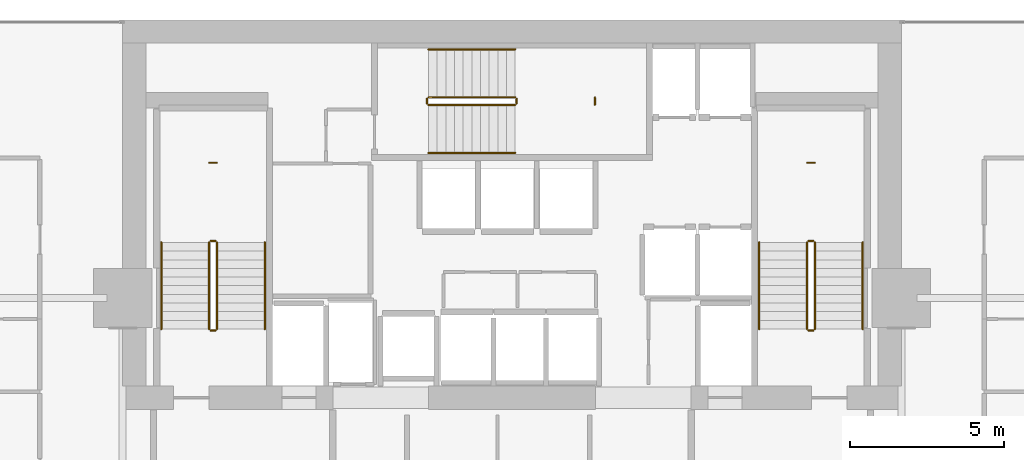
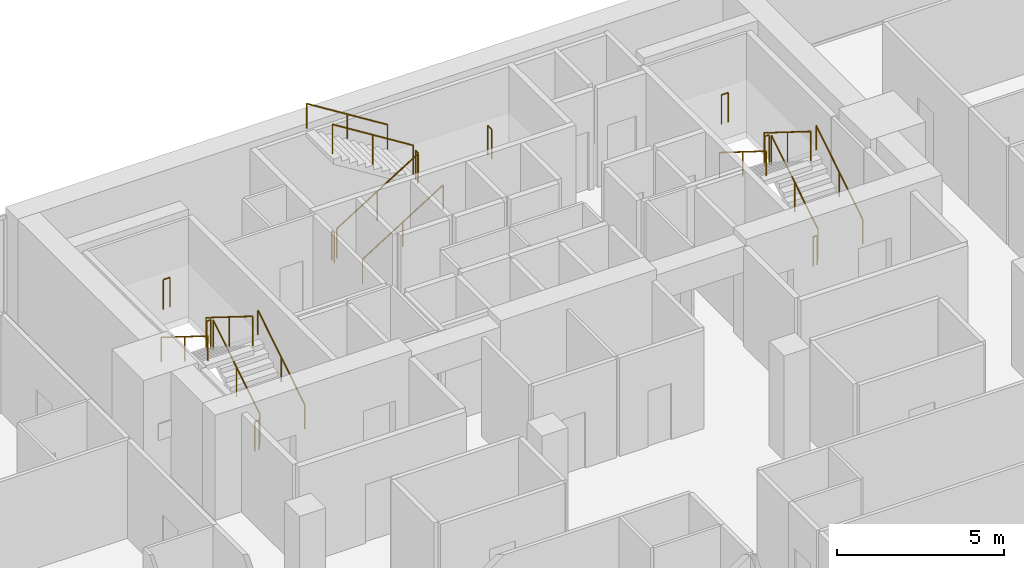
# One storey, part 34 of 34: 21 railings.
"""IFC4 building model written with IfcOpenShell, lengths in metres."""

from ifc_helpers import new_model, si_unit, direction, frame, origin, origin_2d, place, context, subcontext, project, spatial, circle, extrude, material, type_object, element, save


model = new_model("IFC4")

# Units and contexts
model_context = context("Model", 3, precision=1e-05, world=origin(), true_north=direction((0.0, 1.0)))
body_context = subcontext(model_context, "Body", "Model", "MODEL_VIEW")
ifc_project = project(units=[si_unit("LENGTHUNIT", "METRE"), si_unit("AREAUNIT", "SQUARE_METRE"), si_unit("VOLUMEUNIT", "CUBIC_METRE"), si_unit("PLANEANGLEUNIT", "RADIAN"), si_unit("MASSUNIT", "GRAM", prefix="KILO")], contexts=[model_context])

# Site, building, storey
site_placement = place(None, origin())
site = spatial("IfcSite", under=ifc_project, at=site_placement, CompositionType="ELEMENT")
building_placement = place(site_placement, origin())
building = spatial("IfcBuilding", under=site, at=building_placement, Name="Maruvema Waterfront Hotel and Observation Tower", CompositionType="ELEMENT")
storey_placement = place(building_placement, frame((0.0, 0.0, 192.85009765625)))
storey = spatial("IfcBuildingStorey", under=building, at=storey_placement, Name="L47", CompositionType="ELEMENT", Elevation=192.85009765625)

# Railings
ifc_material_1 = material(Name="Brushed stainless steel Grade 316", Category="steel")
railing_type_1 = type_object("IfcRailingType", Name="Ramp Continuous Wall Handrail 920 mm", PredefinedType="HANDRAIL", material=ifc_material_1)
railing_1_placement = place(storey_placement, frame((29.800048828125, 44.0, 0.1748046875)))
element("IfcRailing", 1, at=railing_1_placement, inside=storey, type_object=railing_type_1, Name="L47 ST-01 stair handrail 1", PredefinedType="HANDRAIL", context=body_context, shape_type="SweptSolid", body=[
    extrude(circle(Radius=0.02392578125, at=origin_2d()), frame((0.0, 0.0, 0.89599609375), z_axis=(0.0, 0.848002457836, 0.529992293815), x_axis=(-1.0, 0.0, 0.0)), (0.0, 0.0, 1.0), 3.302001953125),
    extrude(circle(Radius=0.02099609375, at=origin_2d()), origin(), (0.0, 0.0, 1.0), 0.871826171875),
    extrude(circle(Radius=0.02099609375, at=origin_2d()), frame((0.0, 1.39990234375, 0.875)), (0.0, 0.0, 1.0), 0.871826171875),
    extrude(circle(Radius=0.02099609375, at=origin_2d()), frame((0.0, 2.800048828125, 1.75)), (0.0, 0.0, 1.0), 0.871826171875),
])
railing_2_placement = place(storey_placement, frame((26.449951171875, 46.800048828125, 2.099853515625)))
element("IfcRailing", 2, at=railing_2_placement, inside=storey, type_object=railing_type_1, Name="L47 ST-01 stair handrail 2", PredefinedType="HANDRAIL", context=body_context, shape_type="SweptSolid", body=[
    extrude(circle(Radius=0.02392578125, at=origin_2d()), frame((0.0, 0.0, 0.89599609375), z_axis=(0.0, -0.848002457836, 0.529992293815), x_axis=(1.0, 0.0, 0.0)), (0.0, 0.0, 1.0), 3.302001953125),
    extrude(circle(Radius=0.02099609375, at=origin_2d()), origin(), (0.0, 0.0, 1.0), 0.871826171875),
    extrude(circle(Radius=0.02099609375, at=origin_2d()), frame((0.0, -1.39990234375, 0.875)), (0.0, 0.0, 1.0), 0.871826171875),
    extrude(circle(Radius=0.02099609375, at=origin_2d()), frame((0.0, -2.800048828125, 1.75)), (0.0, 0.0, 1.0), 0.871826171875),
])
railing_3_placement = place(storey_placement, frame((35.10009765625, 49.699951171875, 0.1748046875)))
element("IfcRailing", 3, at=railing_3_placement, inside=storey, type_object=railing_type_1, Name="L47 ST-02 stair handrail 1", PredefinedType="HANDRAIL", context=body_context, shape_type="SweptSolid", body=[
    extrude(circle(Radius=0.02392578125, at=origin_2d()), frame((0.0, 0.0, 0.89599609375), z_axis=(0.847981687118, 0.0, 0.530025526095), x_axis=(0.0, 1.0, 0.0)), (0.0, 0.0, 1.0), 3.3017578125),
    extrude(circle(Radius=0.02099609375, at=origin_2d()), origin(), (0.0, 0.0, 1.0), 0.871826171875),
    extrude(circle(Radius=0.02099609375, at=origin_2d()), frame((1.39990234375, 0.0, 0.875)), (0.0, 0.0, 1.0), 0.871826171875),
    extrude(circle(Radius=0.02099609375, at=origin_2d()), frame((2.7998046875, 0.0, 1.75)), (0.0, 0.0, 1.0), 0.871826171875),
])
railing_4_placement = place(storey_placement, frame((37.89990234375, 53.050048828125, 2.099853515625)))
element("IfcRailing", 4, at=railing_4_placement, inside=storey, type_object=railing_type_1, Name="L47 ST-02 stair handrail 2", PredefinedType="HANDRAIL", context=body_context, shape_type="SweptSolid", body=[
    extrude(circle(Radius=0.02392578125, at=origin_2d()), frame((0.0, 0.0, 0.89599609375), z_axis=(-0.847981687118, 0.0, 0.530025526095), x_axis=(0.0, -1.0, 0.0)), (0.0, 0.0, 1.0), 3.3017578125),
    extrude(circle(Radius=0.02099609375, at=origin_2d()), origin(), (0.0, 0.0, 1.0), 0.871826171875),
    extrude(circle(Radius=0.02099609375, at=origin_2d()), frame((-1.39990234375, 0.0, 0.875)), (0.0, 0.0, 1.0), 0.871826171875),
    extrude(circle(Radius=0.02099609375, at=origin_2d()), frame((-2.7998046875, 0.0, 1.75)), (0.0, 0.0, 1.0), 0.871826171875),
])
railing_5_placement = place(storey_placement, frame((49.14990234375, 44.0, 0.1748046875)))
element("IfcRailing", 5, at=railing_5_placement, inside=storey, type_object=railing_type_1, Name="L47 ST-03 stair handrail 1", PredefinedType="HANDRAIL", context=body_context, shape_type="SweptSolid", body=[
    extrude(circle(Radius=0.02392578125, at=origin_2d()), frame((0.0, 0.0, 0.89599609375), z_axis=(0.0, 0.848002457836, 0.529992293815), x_axis=(-1.0, 0.0, 0.0)), (0.0, 0.0, 1.0), 3.302001953125),
    extrude(circle(Radius=0.02099609375, at=origin_2d()), origin(), (0.0, 0.0, 1.0), 0.871826171875),
    extrude(circle(Radius=0.02099609375, at=origin_2d()), frame((0.0, 1.39990234375, 0.875)), (0.0, 0.0, 1.0), 0.871826171875),
    extrude(circle(Radius=0.02099609375, at=origin_2d()), frame((0.0, 2.800048828125, 1.75)), (0.0, 0.0, 1.0), 0.871826171875),
])
railing_6_placement = place(storey_placement, frame((45.800048828125, 46.800048828125, 2.099853515625)))
element("IfcRailing", 6, at=railing_6_placement, inside=storey, type_object=railing_type_1, Name="L47 ST-03 stair handrail 2", PredefinedType="HANDRAIL", context=body_context, shape_type="SweptSolid", body=[
    extrude(circle(Radius=0.02392578125, at=origin_2d()), frame((0.0, 0.0, 0.89599609375), z_axis=(0.0, -0.848002457836, 0.529992293815), x_axis=(1.0, 0.0, 0.0)), (0.0, 0.0, 1.0), 3.302001953125),
    extrude(circle(Radius=0.02099609375, at=origin_2d()), origin(), (0.0, 0.0, 1.0), 0.871826171875),
    extrude(circle(Radius=0.02099609375, at=origin_2d()), frame((0.0, -1.39990234375, 0.875)), (0.0, 0.0, 1.0), 0.871826171875),
    extrude(circle(Radius=0.02099609375, at=origin_2d()), frame((0.0, -2.800048828125, 1.75)), (0.0, 0.0, 1.0), 0.871826171875),
])
ifc_material_2 = material(Name="Brushed stainless steel Grade 316", Category="steel")
railing_type_2 = type_object("IfcRailingType", Name="Ramp and Terrace Guard Balustrade 1100 mm", PredefinedType="BALUSTRADE", material=ifc_material_2)
railing_7_placement = place(storey_placement, frame((28.25, 44.0, 0.1748046875)))
element("IfcRailing", 7, at=railing_7_placement, inside=storey, type_object=railing_type_2, Name="L47 ST-01 stair guard 1", PredefinedType="BALUSTRADE", context=body_context, shape_type="SweptSolid", body=[
    extrude(circle(Radius=0.02392578125, at=origin_2d()), frame((0.0, 0.0, 1.076171875), z_axis=(0.0, 0.848002457836, 0.529992293815), x_axis=(-1.0, 0.0, 0.0)), (0.0, 0.0, 1.0), 3.302001953125),
    extrude(circle(Radius=0.02099609375, at=origin_2d()), origin(), (0.0, 0.0, 1.0), 1.052001953125),
    extrude(circle(Radius=0.02099609375, at=origin_2d()), frame((0.0, 1.39990234375, 0.875)), (0.0, 0.0, 1.0), 1.052001953125),
    extrude(circle(Radius=0.02099609375, at=origin_2d()), frame((0.0, 2.800048828125, 1.75)), (0.0, 0.0, 1.0), 1.052001953125),
])
railing_8_placement = place(storey_placement, frame((28.199951171875, 46.85009765625, 1.9248046875)))
element("IfcRailing", 8, at=railing_8_placement, inside=storey, type_object=railing_type_2, Name="L47 ST-01 stair guard 2", PredefinedType="BALUSTRADE", context=body_context, shape_type="SweptSolid", body=[
    extrude(circle(Radius=0.02392578125, at=origin_2d()), frame((0.0, 0.0, 1.076171875), z_axis=(-1.0, 0.0, 0.0), x_axis=(0.0, -1.0, 0.0)), (0.0, 0.0, 1.0), 0.14990234375),
    extrude(circle(Radius=0.02099609375, at=origin_2d()), origin(), (0.0, 0.0, 1.0), 1.052001953125),
    extrude(circle(Radius=0.02099609375, at=origin_2d()), frame((-0.14990234375, 0.0, 0.0)), (0.0, 0.0, 1.0), 1.052001953125),
])
railing_9_placement = place(storey_placement, frame((28.0, 46.800048828125, 2.099853515625)))
element("IfcRailing", 9, at=railing_9_placement, inside=storey, type_object=railing_type_2, Name="L47 ST-01 stair guard 3", PredefinedType="BALUSTRADE", context=body_context, shape_type="SweptSolid", body=[
    extrude(circle(Radius=0.02392578125, at=origin_2d()), frame((0.0, 0.0, 1.076171875), z_axis=(0.0, -0.848002457836, 0.529992293815), x_axis=(1.0, 0.0, 0.0)), (0.0, 0.0, 1.0), 3.302001953125),
    extrude(circle(Radius=0.02099609375, at=origin_2d()), origin(), (0.0, 0.0, 1.0), 1.052001953125),
    extrude(circle(Radius=0.02099609375, at=origin_2d()), frame((0.0, -1.39990234375, 0.875)), (0.0, 0.0, 1.0), 1.052001953125),
    extrude(circle(Radius=0.02099609375, at=origin_2d()), frame((0.0, -2.800048828125, 1.75)), (0.0, 0.0, 1.0), 1.052001953125),
])
railing_10_placement = place(storey_placement, frame((28.199951171875, 43.949951171875, 0.0)))
element("IfcRailing", 10, at=railing_10_placement, inside=storey, type_object=railing_type_2, Name="L47 ST-01 stair guard 4", PredefinedType="BALUSTRADE", context=body_context, shape_type="SweptSolid", body=[
    extrude(circle(Radius=0.02392578125, at=origin_2d()), frame((0.0, 0.0, 1.076171875), z_axis=(-1.0, 0.0, 0.0), x_axis=(0.0, -1.0, 0.0)), (0.0, 0.0, 1.0), 0.14990234375),
    extrude(circle(Radius=0.02099609375, at=origin_2d()), origin(), (0.0, 0.0, 1.0), 1.052001953125),
    extrude(circle(Radius=0.02099609375, at=origin_2d()), frame((-0.14990234375, 0.0, 0.0)), (0.0, 0.0, 1.0), 1.052001953125),
])
railing_11_placement = place(storey_placement, frame((28.239990234375, 49.3798828125, 1.9248046875)))
element("IfcRailing", 11, at=railing_11_placement, inside=storey, type_object=railing_type_2, Name="L47 ST-01 Half-Landing Slot Guard", PredefinedType="BALUSTRADE", context=body_context, shape_type="SweptSolid", body=[
    extrude(circle(Radius=0.02392578125, at=origin_2d()), frame((0.0, 0.0, 1.076171875), z_axis=(-1.0, 0.0, 0.0), x_axis=(0.0, -1.0, 0.0)), (0.0, 0.0, 1.0), 0.22998046875),
    extrude(circle(Radius=0.02099609375, at=origin_2d()), origin(), (0.0, 0.0, 1.0), 1.052001953125),
    extrude(circle(Radius=0.02099609375, at=origin_2d()), frame((-0.22998046875, 0.0, 0.0)), (0.0, 0.0, 1.0), 1.052001953125),
])
railing_12_placement = place(storey_placement, frame((35.10009765625, 51.25, 0.1748046875)))
element("IfcRailing", 12, at=railing_12_placement, inside=storey, type_object=railing_type_2, Name="L47 ST-02 stair guard 1", PredefinedType="BALUSTRADE", context=body_context, shape_type="SweptSolid", body=[
    extrude(circle(Radius=0.02392578125, at=origin_2d()), frame((0.0, 0.0, 1.076171875), z_axis=(0.847981687118, 0.0, 0.530025526095), x_axis=(0.0, 1.0, 0.0)), (0.0, 0.0, 1.0), 3.3017578125),
    extrude(circle(Radius=0.02099609375, at=origin_2d()), origin(), (0.0, 0.0, 1.0), 1.052001953125),
    extrude(circle(Radius=0.02099609375, at=origin_2d()), frame((1.39990234375, 0.0, 0.875)), (0.0, 0.0, 1.0), 1.052001953125),
    extrude(circle(Radius=0.02099609375, at=origin_2d()), frame((2.7998046875, 0.0, 1.75)), (0.0, 0.0, 1.0), 1.052001953125),
])
railing_13_placement = place(storey_placement, frame((37.949951171875, 51.300048828125, 1.9248046875)))
element("IfcRailing", 13, at=railing_13_placement, inside=storey, type_object=railing_type_2, Name="L47 ST-02 stair guard 2", PredefinedType="BALUSTRADE", context=body_context, shape_type="SweptSolid", body=[
    extrude(circle(Radius=0.02392578125, at=origin_2d()), frame((0.0, 0.0, 1.076171875), z_axis=(0.0, 1.0, 0.0), x_axis=(-1.0, 0.0, 0.0)), (0.0, 0.0, 1.0), 0.14990234375),
    extrude(circle(Radius=0.02099609375, at=origin_2d()), origin(), (0.0, 0.0, 1.0), 1.052001953125),
    extrude(circle(Radius=0.02099609375, at=origin_2d()), frame((0.0, 0.14990234375, 0.0)), (0.0, 0.0, 1.0), 1.052001953125),
])
railing_14_placement = place(storey_placement, frame((37.89990234375, 51.5, 2.099853515625)))
element("IfcRailing", 14, at=railing_14_placement, inside=storey, type_object=railing_type_2, Name="L47 ST-02 stair guard 3", PredefinedType="BALUSTRADE", context=body_context, shape_type="SweptSolid", body=[
    extrude(circle(Radius=0.02392578125, at=origin_2d()), frame((0.0, 0.0, 1.076171875), z_axis=(-0.847981687118, 0.0, 0.530025526095), x_axis=(0.0, -1.0, 0.0)), (0.0, 0.0, 1.0), 3.3017578125),
    extrude(circle(Radius=0.02099609375, at=origin_2d()), origin(), (0.0, 0.0, 1.0), 1.052001953125),
    extrude(circle(Radius=0.02099609375, at=origin_2d()), frame((-1.39990234375, 0.0, 0.875)), (0.0, 0.0, 1.0), 1.052001953125),
    extrude(circle(Radius=0.02099609375, at=origin_2d()), frame((-2.7998046875, 0.0, 1.75)), (0.0, 0.0, 1.0), 1.052001953125),
])
railing_15_placement = place(storey_placement, frame((35.050048828125, 51.300048828125, 0.0)))
element("IfcRailing", 15, at=railing_15_placement, inside=storey, type_object=railing_type_2, Name="L47 ST-02 stair guard 4", PredefinedType="BALUSTRADE", context=body_context, shape_type="SweptSolid", body=[
    extrude(circle(Radius=0.02392578125, at=origin_2d()), frame((0.0, 0.0, 1.076171875), z_axis=(0.0, 1.0, 0.0), x_axis=(-1.0, 0.0, 0.0)), (0.0, 0.0, 1.0), 0.14990234375),
    extrude(circle(Radius=0.02099609375, at=origin_2d()), origin(), (0.0, 0.0, 1.0), 1.052001953125),
    extrude(circle(Radius=0.02099609375, at=origin_2d()), frame((0.0, 0.14990234375, 0.0)), (0.0, 0.0, 1.0), 1.052001953125),
])
railing_16_placement = place(storey_placement, frame((40.47998046875, 51.260009765625, 1.9248046875)))
element("IfcRailing", 16, at=railing_16_placement, inside=storey, type_object=railing_type_2, Name="L47 ST-02 Half-Landing Slot Guard", PredefinedType="BALUSTRADE", context=body_context, shape_type="SweptSolid", body=[
    extrude(circle(Radius=0.02392578125, at=origin_2d()), frame((0.0, 0.0, 1.076171875), z_axis=(0.0, 1.0, 0.0), x_axis=(-1.0, 0.0, 0.0)), (0.0, 0.0, 1.0), 0.22998046875),
    extrude(circle(Radius=0.02099609375, at=origin_2d()), origin(), (0.0, 0.0, 1.0), 1.052001953125),
    extrude(circle(Radius=0.02099609375, at=origin_2d()), frame((0.0, 0.22998046875, 0.0)), (0.0, 0.0, 1.0), 1.052001953125),
])
railing_17_placement = place(storey_placement, frame((47.60009765625, 44.0, 0.1748046875)))
element("IfcRailing", 17, at=railing_17_placement, inside=storey, type_object=railing_type_2, Name="L47 ST-03 stair guard 1", PredefinedType="BALUSTRADE", context=body_context, shape_type="SweptSolid", body=[
    extrude(circle(Radius=0.02392578125, at=origin_2d()), frame((0.0, 0.0, 1.076171875), z_axis=(0.0, 0.848002457836, 0.529992293815), x_axis=(-1.0, 0.0, 0.0)), (0.0, 0.0, 1.0), 3.302001953125),
    extrude(circle(Radius=0.02099609375, at=origin_2d()), origin(), (0.0, 0.0, 1.0), 1.052001953125),
    extrude(circle(Radius=0.02099609375, at=origin_2d()), frame((0.0, 1.39990234375, 0.875)), (0.0, 0.0, 1.0), 1.052001953125),
    extrude(circle(Radius=0.02099609375, at=origin_2d()), frame((0.0, 2.800048828125, 1.75)), (0.0, 0.0, 1.0), 1.052001953125),
])
railing_18_placement = place(storey_placement, frame((47.550048828125, 46.85009765625, 1.9248046875)))
element("IfcRailing", 18, at=railing_18_placement, inside=storey, type_object=railing_type_2, Name="L47 ST-03 stair guard 2", PredefinedType="BALUSTRADE", context=body_context, shape_type="SweptSolid", body=[
    extrude(circle(Radius=0.02392578125, at=origin_2d()), frame((0.0, 0.0, 1.076171875), z_axis=(-1.0, 0.0, 0.0), x_axis=(0.0, -1.0, 0.0)), (0.0, 0.0, 1.0), 0.150146484375),
    extrude(circle(Radius=0.02099609375, at=origin_2d()), origin(), (0.0, 0.0, 1.0), 1.052001953125),
    extrude(circle(Radius=0.02099609375, at=origin_2d()), frame((-0.150146484375, 0.0, 0.0)), (0.0, 0.0, 1.0), 1.052001953125),
])
railing_19_placement = place(storey_placement, frame((47.35009765625, 46.800048828125, 2.099853515625)))
element("IfcRailing", 19, at=railing_19_placement, inside=storey, type_object=railing_type_2, Name="L47 ST-03 stair guard 3", PredefinedType="BALUSTRADE", context=body_context, shape_type="SweptSolid", body=[
    extrude(circle(Radius=0.02392578125, at=origin_2d()), frame((0.0, 0.0, 1.076171875), z_axis=(0.0, -0.848002457836, 0.529992293815), x_axis=(1.0, 0.0, 0.0)), (0.0, 0.0, 1.0), 3.302001953125),
    extrude(circle(Radius=0.02099609375, at=origin_2d()), origin(), (0.0, 0.0, 1.0), 1.052001953125),
    extrude(circle(Radius=0.02099609375, at=origin_2d()), frame((0.0, -1.39990234375, 0.875)), (0.0, 0.0, 1.0), 1.052001953125),
    extrude(circle(Radius=0.02099609375, at=origin_2d()), frame((0.0, -2.800048828125, 1.75)), (0.0, 0.0, 1.0), 1.052001953125),
])
railing_20_placement = place(storey_placement, frame((47.550048828125, 43.949951171875, 0.0)))
element("IfcRailing", 20, at=railing_20_placement, inside=storey, type_object=railing_type_2, Name="L47 ST-03 stair guard 4", PredefinedType="BALUSTRADE", context=body_context, shape_type="SweptSolid", body=[
    extrude(circle(Radius=0.02392578125, at=origin_2d()), frame((0.0, 0.0, 1.076171875), z_axis=(-1.0, 0.0, 0.0), x_axis=(0.0, -1.0, 0.0)), (0.0, 0.0, 1.0), 0.150146484375),
    extrude(circle(Radius=0.02099609375, at=origin_2d()), origin(), (0.0, 0.0, 1.0), 1.052001953125),
    extrude(circle(Radius=0.02099609375, at=origin_2d()), frame((-0.150146484375, 0.0, 0.0)), (0.0, 0.0, 1.0), 1.052001953125),
])
railing_21_placement = place(storey_placement, frame((47.590087890625, 49.3798828125, 1.9248046875)))
element("IfcRailing", 21, at=railing_21_placement, inside=storey, type_object=railing_type_2, Name="L47 ST-03 Half-Landing Slot Guard", PredefinedType="BALUSTRADE", context=body_context, shape_type="SweptSolid", body=[
    extrude(circle(Radius=0.02392578125, at=origin_2d()), frame((0.0, 0.0, 1.076171875), z_axis=(-1.0, 0.0, 0.0), x_axis=(0.0, -1.0, 0.0)), (0.0, 0.0, 1.0), 0.22998046875),
    extrude(circle(Radius=0.02099609375, at=origin_2d()), origin(), (0.0, 0.0, 1.0), 1.052001953125),
    extrude(circle(Radius=0.02099609375, at=origin_2d()), frame((-0.22998046875, 0.0, 0.0)), (0.0, 0.0, 1.0), 1.052001953125),
])

save(model, "model.ifc")
